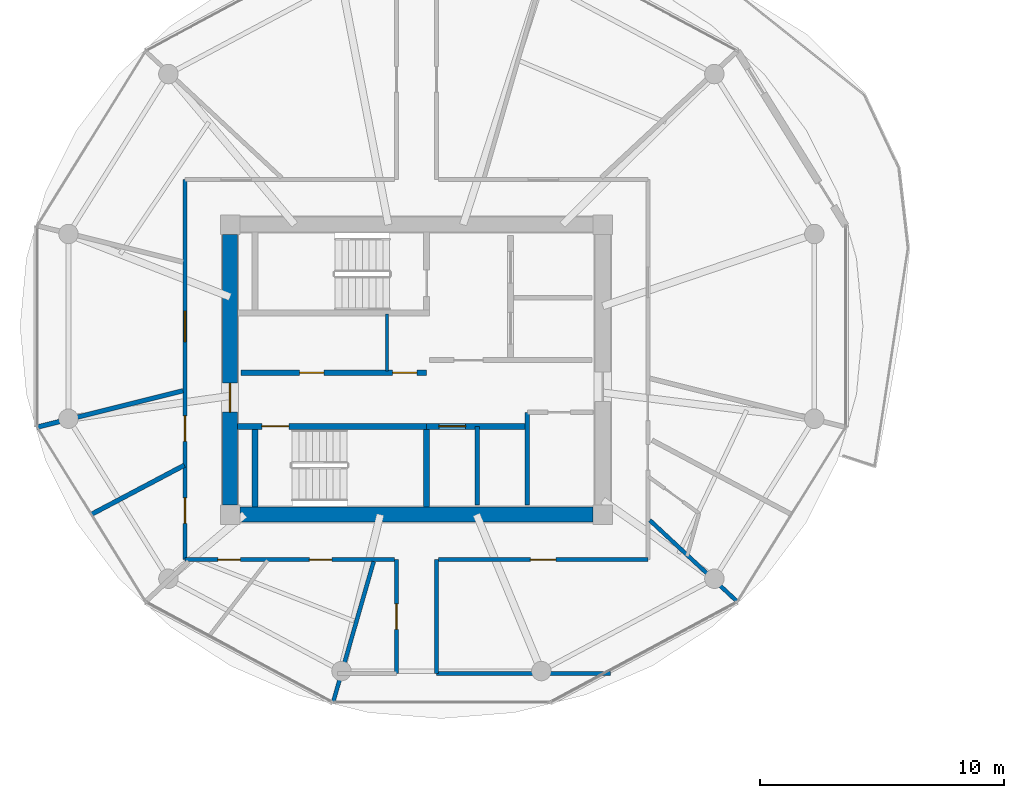
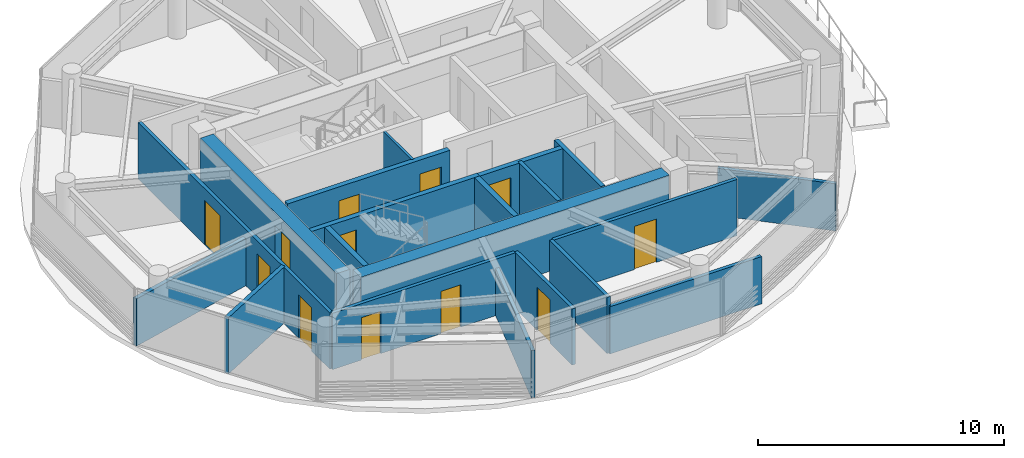
# One storey, part 13 of 21: 20 walls, 12 doors, 12 openings.
"""IFC4 building model written with IfcOpenShell, lengths in metres."""

from ifc_helpers import new_model, si_unit, direction, frame, frame_2d, origin, place, context, subcontext, project, spatial, rectangle, extrude, source, transform, mapped, material, layer, layer_set, type_object, type_shapes, element, fill, save


model = new_model("IFC4")

# Units and contexts
model_context = context("Model", 3, precision=1e-05, world=origin(), true_north=direction((0.0, 1.0)))
body_context = subcontext(model_context, "Body", "Model", "MODEL_VIEW")
ifc_project = project(units=[si_unit("LENGTHUNIT", "METRE"), si_unit("AREAUNIT", "SQUARE_METRE"), si_unit("VOLUMEUNIT", "CUBIC_METRE"), si_unit("PLANEANGLEUNIT", "RADIAN"), si_unit("MASSUNIT", "GRAM", prefix="KILO")], contexts=[model_context])

# Site, building, storey
site_placement = place(None, origin())
site = spatial("IfcSite", under=ifc_project, at=site_placement, CompositionType="ELEMENT")
building_placement = place(site_placement, origin())
building = spatial("IfcBuilding", under=site, at=building_placement, Name="Norrkilde Senior Care Towers", CompositionType="ELEMENT")
storey_placement = place(building_placement, frame((0.0, 0.0, 140.39990234375)))
storey = spatial("IfcBuildingStorey", under=building, at=storey_placement, Name="L43", CompositionType="ELEMENT", Elevation=140.39990234375)

# Wall
ifc_material_1 = material(Name="Concrete C50/60", Category="concrete")
ifc_layer_1 = layer(ifc_material_1, 0.6201171875)
ifc_layer_set_1 = layer_set([ifc_layer_1], Name="Concrete C50/60")
wall_type_1 = type_object("IfcWallType", Name="Core Shear Wall Z3 620", PredefinedType="SHEAR", material=ifc_layer_set_1)
shared_shape_1 = source(origin(), body_context, "Body", "SweptSolid", [
    extrude(rectangle(XDim=14.5, YDim=0.6201171875, at=frame_2d((7.25, 0.0))), origin(), (0.0, 0.0, 1.0), 2.81005859375),
])
wall_1_placement = place(storey_placement, frame((-20.75, -5.949951171875, 0.0), z_axis=(0.0, 0.0, 1.0), x_axis=(-1.0, 0.0, 0.0)))
element("IfcWall", 1, at=wall_1_placement, inside=storey, type_object=wall_type_1, Name="L43 Core W South Shear Wall", PredefinedType="SHEAR", context=body_context, shape_type="MappedRepresentation", body=[
    mapped(shared_shape_1, transform((0.0, 0.0, 0.0), x_axis=(1.0, 0.0, 0.0), y_axis=(0.0, 1.0, 0.0), z_axis=(0.0, 0.0, 1.0), scale=1.0)),
])

# Wall, opening, door
shared_shape_2 = source(origin(), body_context, "Body", "SweptSolid", [
    extrude(rectangle(XDim=11.10009765625, YDim=0.6201171875, at=frame_2d((5.550048828125, 0.0))), origin(), (0.0, 0.0, 1.0), 2.81005859375),
])
type_shapes(wall_type_1, [shared_shape_1, shared_shape_2])
wall_2_placement = place(storey_placement, frame((-35.64990234375, -5.550048828125, 0.0), z_axis=(0.0, 0.0, 1.0), x_axis=(0.0, 1.0, 0.0)))
wall_2 = element("IfcWall", 2, at=wall_2_placement, inside=storey, type_object=wall_type_1, Name="L43 Core W West Shear Wall", PredefinedType="SHEAR", context=body_context, shape_type="MappedRepresentation", body=[
    mapped(shared_shape_2, transform((0.0, 0.0, 0.0), x_axis=(1.0, 0.0, 0.0), y_axis=(0.0, 1.0, 0.0), z_axis=(0.0, 0.0, 1.0), scale=1.0)),
])
opening_1_placement = place(wall_2_placement, frame((3.800048828125, 0.0, 0.0)))
opening_1 = element("IfcOpeningElement", 3, at=opening_1_placement, cuts=wall_2, Name="Opening D-04", PredefinedType="OPENING", context=body_context, shape_type="SweptSolid", body=[
    extrude(rectangle(XDim=1.199951171875, YDim=2.14990234375, at=frame_2d((0.60009765625, 1.074951171875))), frame((0.0, 0.320068359375, 0.0), z_axis=(0.0, -1.0, 0.0), x_axis=(1.0, 0.0, 0.0)), (0.0, 0.0, 1.0), 0.64013671875),
])
ifc_material_2 = material(Name="Galvanised Painted Steel", Category="steel")
door_type_1 = type_object("IfcDoorType", Name="Firefighting Lobby Fire Door 1200x2150", OperationType="NOTDEFINED", PredefinedType="DOOR", material=ifc_material_2)
shared_shape_3 = source(origin(), body_context, "Body", "SweptSolid", [
    extrude(rectangle(XDim=1.199951171875, YDim=2.14990234375, at=frame_2d((0.60009765625, 1.074951171875))), frame((0.0, 0.02490234375, 0.0), z_axis=(0.0, -1.0, 0.0), x_axis=(1.0, 0.0, 0.0)), (0.0, 0.0, 1.0), 0.050048828125),
])
type_shapes(door_type_1, [shared_shape_3])
door_1_placement = place(opening_1_placement, frame((1.199951171875, 0.0, 0.0), z_axis=(0.0, 0.0, 1.0), x_axis=(-1.0, 0.0, 0.0)))
door_1 = element("IfcDoor", 4, at=door_1_placement, inside=storey, type_object=door_type_1, Name="L43 Core W West Portal Door", OperationType="SINGLE_SWING_LEFT", OverallHeight=2.14990234375, OverallWidth=1.199951171875, PredefinedType="DOOR", context=body_context, shape_type="MappedRepresentation", body=[
    mapped(shared_shape_3, transform((0.0, 0.0, 0.0), x_axis=(1.0, 0.0, 0.0), y_axis=(0.0, 1.0, 0.0), z_axis=(0.0, 0.0, 1.0), scale=1.0)),
])
fill(opening_1, door_1)

ifc_material_3 = material(Name="Concrete C45/55", Category="concrete")
ifc_layer_2 = layer(ifc_material_3, 0.239990234375)
ifc_layer_set_2 = layer_set([ifc_layer_2], Name="Concrete C45/55")
wall_type_2 = type_object("IfcWallType", Name="Shaft and Stair Enclosure Wall 240", PredefinedType="PARTITIONING", material=ifc_layer_set_2)
shared_shape_4 = source(origin(), body_context, "Body", "SweptSolid", [
    extrude(rectangle(XDim=7.880126953125, YDim=0.239990234375, at=frame_2d((3.93994140625, 0.0))), origin(), (0.0, 0.0, 1.0), 2.81005859375),
])
wall_3_placement = place(storey_placement, frame((-35.340087890625, -2.330078125, 0.0), z_axis=(0.0, 0.0, 1.0), x_axis=(1.0, 0.0, 0.0)))
wall_3 = element("IfcWall", 5, at=wall_3_placement, inside=storey, type_object=wall_type_2, Name="WL-INT-L43-W-ST2N", PredefinedType="PARTITIONING", context=body_context, shape_type="MappedRepresentation", body=[
    mapped(shared_shape_4, transform((0.0, 0.0, 0.0), x_axis=(1.0, 0.0, 0.0), y_axis=(0.0, 1.0, 0.0), z_axis=(0.0, 0.0, 1.0), scale=1.0)),
])
opening_2_placement = place(wall_3_placement, frame((1.0, 0.0, 0.0)))
opening_2 = element("IfcOpeningElement", 6, at=opening_2_placement, cuts=wall_3, Name="Opening D-03", PredefinedType="OPENING", context=body_context, shape_type="SweptSolid", body=[
    extrude(rectangle(XDim=1.10009765625, YDim=2.14990234375, at=frame_2d((0.550048828125, 1.074951171875))), frame((0.0, 0.1298828125, 0.0), z_axis=(0.0, -1.0, 0.0), x_axis=(1.0, 0.0, 0.0)), (0.0, 0.0, 1.0), 0.260009765625),
])
door_type_2 = type_object("IfcDoorType", Name="Stairwell Protected Fire Door 1100x2150", OperationType="NOTDEFINED", PredefinedType="DOOR", material=ifc_material_2)
shared_shape_5 = source(origin(), body_context, "Body", "SweptSolid", [
    extrude(rectangle(XDim=1.10009765625, YDim=2.14990234375, at=frame_2d((0.550048828125, 1.074951171875))), frame((0.0, 0.02490234375, 0.0), z_axis=(0.0, -1.0, 0.0), x_axis=(1.0, 0.0, 0.0)), (0.0, 0.0, 1.0), 0.050048828125),
])
type_shapes(door_type_2, [shared_shape_5])
door_2_placement = place(opening_2_placement, frame((1.10009765625, 0.0, 0.0), z_axis=(0.0, 0.0, 1.0), x_axis=(-1.0, 0.0, 0.0)))
door_2 = element("IfcDoor", 7, at=door_2_placement, inside=storey, type_object=door_type_2, Name="L43 Stair W2 Fire Door", OperationType="SINGLE_SWING_RIGHT", OverallHeight=2.14990234375, OverallWidth=1.10009765625, PredefinedType="DOOR", context=body_context, shape_type="MappedRepresentation", body=[
    mapped(shared_shape_5, transform((0.0, 0.0, 0.0), x_axis=(1.0, 0.0, 0.0), y_axis=(0.0, 1.0, 0.0), z_axis=(0.0, 0.0, 1.0), scale=1.0)),
])
fill(opening_2, door_2)

# Walls
shared_shape_6 = source(origin(), body_context, "Body", "SweptSolid", [
    extrude(rectangle(XDim=3.18994140625, YDim=0.239990234375, at=frame_2d((1.594970703125, 0.0))), origin(), (0.0, 0.0, 1.0), 2.81005859375),
])
type_shapes(wall_type_2, [shared_shape_4, shared_shape_6])
for number, where, z_axis, x_axis, name in (
    (8, (-34.6201171875, -5.639892578125, 0.0), (0.0, 0.0, 1.0), (0.0, 1.0, 0.0), "WL-INT-L43-W-ST2W"),
    (9, (-27.580078125, -5.639892578125, 0.0), (0.0, 0.0, 1.0), (0.0, 1.0, 0.0), "WL-INT-L43-W-ST2E"),
):
    element("IfcWall", number, at=place(storey_placement, frame(where, z_axis=z_axis, x_axis=x_axis)), inside=storey, type_object=wall_type_2, Name=name, PredefinedType="PARTITIONING", context=body_context, shape_type="MappedRepresentation", body=[
        mapped(shared_shape_6, transform((0.0, 0.0, 0.0), x_axis=(1.0, 0.0, 0.0), y_axis=(0.0, 1.0, 0.0), z_axis=(0.0, 0.0, 1.0), scale=1.0)),
    ])

# Wall, openings, doors
ifc_layer_3 = layer(ifc_material_3, 0.239990234375)
ifc_layer_set_3 = layer_set([ifc_layer_3], Name="Concrete C45/55")
wall_type_3 = type_object("IfcWallType", Name="Lift and Plant Rated Enclosure Partition 240", PredefinedType="PARTITIONING", material=ifc_layer_set_3)
shared_shape_7 = source(origin(), body_context, "Body", "SweptSolid", [
    extrude(rectangle(XDim=7.619873046875, YDim=0.239990234375, at=frame_2d((3.81005859375, 0.0))), origin(), (0.0, 0.0, 1.0), 2.795166015625),
])
wall_4_placement = place(storey_placement, frame((-35.199951171875, -0.1298828125, 0.0), z_axis=(0.0, 0.0, 1.0), x_axis=(1.0, 0.0, 0.0)))
wall_4 = element("IfcWall", 10, at=wall_4_placement, inside=storey, type_object=wall_type_3, Name="WL-INT-L43-W-PKAS", PredefinedType="PARTITIONING", context=body_context, shape_type="MappedRepresentation", body=[
    mapped(shared_shape_7, transform((0.0, 0.0, 0.0), x_axis=(1.0, 0.0, 0.0), y_axis=(0.0, 1.0, 0.0), z_axis=(0.0, 0.0, 1.0), scale=1.0)),
])
opening_3_placement = place(wall_4_placement, frame((6.219970703125, 0.0, 0.0)))
opening_3 = element("IfcOpeningElement", 11, at=opening_3_placement, cuts=wall_4, Name="Opening D-10", PredefinedType="OPENING", context=body_context, shape_type="SweptSolid", body=[
    extrude(rectangle(XDim=1.0, YDim=2.10009765625, at=frame_2d((0.5, 1.050048828125))), frame((0.0, 0.1298828125, 0.0), z_axis=(0.0, -1.0, 0.0), x_axis=(1.0, 0.0, 0.0)), (0.0, 0.0, 1.0), 0.260009765625),
])
opening_4_placement = place(wall_4_placement, frame((2.39990234375, 0.0, 0.0)))
opening_4 = element("IfcOpeningElement", 12, at=opening_4_placement, cuts=wall_4, Name="Opening D-10", PredefinedType="OPENING", context=body_context, shape_type="SweptSolid", body=[
    extrude(rectangle(XDim=1.0, YDim=2.10009765625, at=frame_2d((0.5, 1.050048828125))), frame((0.0, 0.1298828125, 0.0), z_axis=(0.0, -1.0, 0.0), x_axis=(1.0, 0.0, 0.0)), (0.0, 0.0, 1.0), 0.260009765625),
])
door_type_3 = type_object("IfcDoorType", Name="Plant and Riser Rated Door 1000x2100", OperationType="NOTDEFINED", PredefinedType="DOOR", material=ifc_material_2)
shared_shape_8 = source(origin(), body_context, "Body", "SweptSolid", [
    extrude(rectangle(XDim=1.0, YDim=2.10009765625, at=frame_2d((0.5, 1.050048828125))), frame((0.0, 0.02490234375, 0.0), z_axis=(0.0, -1.0, 0.0), x_axis=(1.0, 0.0, 0.0)), (0.0, 0.0, 1.0), 0.050048828125),
])
type_shapes(door_type_3, [shared_shape_8])
door_3_placement = place(opening_3_placement, frame((1.0, 0.0, 0.0), z_axis=(0.0, 0.0, 1.0), x_axis=(-1.0, 0.0, 0.0)))
door_3 = element("IfcDoor", 13, at=door_3_placement, inside=storey, type_object=door_type_3, Name="L43 Electrical Riser W Door", OperationType="SINGLE_SWING_LEFT", OverallHeight=2.10009765625, OverallWidth=1.0, PredefinedType="DOOR", context=body_context, shape_type="MappedRepresentation", body=[
    mapped(shared_shape_8, transform((0.0, 0.0, 0.0), x_axis=(1.0, 0.0, 0.0), y_axis=(0.0, 1.0, 0.0), z_axis=(0.0, 0.0, 1.0), scale=1.0)),
])
fill(opening_3, door_3)
door_4_placement = place(opening_4_placement, frame((1.0, 0.0, 0.0), z_axis=(0.0, 0.0, 1.0), x_axis=(-1.0, 0.0, 0.0)))
door_4 = element("IfcDoor", 14, at=door_4_placement, inside=storey, type_object=door_type_3, Name="L43 Clean Supply Store W Door", OperationType="SINGLE_SWING_LEFT", OverallHeight=2.10009765625, OverallWidth=1.0, PredefinedType="DOOR", context=body_context, shape_type="MappedRepresentation", body=[
    mapped(shared_shape_8, transform((0.0, 0.0, 0.0), x_axis=(1.0, 0.0, 0.0), y_axis=(0.0, 1.0, 0.0), z_axis=(0.0, 0.0, 1.0), scale=1.0)),
])
fill(opening_4, door_4)

# Walls
ifc_material_4 = material(Name="Gypsum Acoustic Board")
ifc_layer_4 = layer(ifc_material_4, 0.114990234375)
ifc_layer_set_4 = layer_set([ifc_layer_4], Name="Gypsum Acoustic Board")
wall_type_4 = type_object("IfcWallType", Name="Internal Room Partition 115", PredefinedType="PARTITIONING", material=ifc_layer_set_4)
shared_shape_9 = source(origin(), body_context, "Body", "SweptSolid", [
    extrude(rectangle(XDim=2.330078125, YDim=0.114990234375, at=frame_2d((1.1650390625, 0.0))), origin(), (0.0, 0.0, 1.0), 2.795166015625),
])
type_shapes(wall_type_4, [shared_shape_9])
wall_5_placement = place(storey_placement, frame((-29.2099609375, -0.050048828125, 0.0), z_axis=(0.0, 0.0, 1.0), x_axis=(0.0, 1.0, 0.0)))
element("IfcWall", 15, at=wall_5_placement, inside=storey, type_object=wall_type_4, Name="WL-INT-L43-W-RISW", PredefinedType="PARTITIONING", context=body_context, shape_type="MappedRepresentation", body=[
    mapped(shared_shape_9, transform((0.0, 0.0, 0.0), x_axis=(1.0, 0.0, 0.0), y_axis=(0.0, 1.0, 0.0), z_axis=(0.0, 0.0, 1.0), scale=1.0)),
])
ifc_layer_5 = layer(ifc_material_3, 0.199951171875)
ifc_layer_set_5 = layer_set([ifc_layer_5], Name="Concrete C45/55")
wall_type_5 = type_object("IfcWallType", Name="Shaft Division and Plant Partition 200", PredefinedType="PARTITIONING", material=ifc_layer_set_5)
shared_shape_10 = source(origin(), body_context, "Body", "SweptSolid", [
    extrude(rectangle(XDim=3.800048828125, YDim=0.199951171875, at=frame_2d((1.89990234375, 0.0))), origin(), (0.0, 0.0, 1.0), 2.795166015625),
])
type_shapes(wall_type_5, [shared_shape_10])
wall_6_placement = place(storey_placement, frame((-23.449951171875, -5.550048828125, 0.0), z_axis=(0.0, 0.0, 1.0), x_axis=(0.0, 1.0, 0.0)))
element("IfcWall", 16, at=wall_6_placement, inside=storey, type_object=wall_type_5, Name="WL-INT-L43-W-PKBE", PredefinedType="PARTITIONING", context=body_context, shape_type="MappedRepresentation", body=[
    mapped(shared_shape_10, transform((0.0, 0.0, 0.0), x_axis=(1.0, 0.0, 0.0), y_axis=(0.0, 1.0, 0.0), z_axis=(0.0, 0.0, 1.0), scale=1.0)),
])

# Wall, opening, door
shared_shape_11 = source(origin(), body_context, "Body", "SweptSolid", [
    extrude(rectangle(XDim=4.130126953125, YDim=0.239990234375, at=frame_2d((2.06494140625, 0.0))), origin(), (0.0, 0.0, 1.0), 2.795166015625),
])
type_shapes(wall_type_3, [shared_shape_7, shared_shape_11])
wall_7_placement = place(storey_placement, frame((-27.580078125, -2.330078125, 0.0), z_axis=(0.0, 0.0, 1.0), x_axis=(1.0, 0.0, 0.0)))
wall_7 = element("IfcWall", 17, at=wall_7_placement, inside=storey, type_object=wall_type_3, Name="WL-INT-L43-W-PKBN", PredefinedType="PARTITIONING", context=body_context, shape_type="MappedRepresentation", body=[
    mapped(shared_shape_11, transform((0.0, 0.0, 0.0), x_axis=(1.0, 0.0, 0.0), y_axis=(0.0, 1.0, 0.0), z_axis=(0.0, 0.0, 1.0), scale=1.0)),
])
opening_5_placement = place(wall_7_placement, frame((0.5, 0.0, 0.0)))
opening_5 = element("IfcOpeningElement", 18, at=opening_5_placement, cuts=wall_7, Name="Opening LD-01", PredefinedType="OPENING", context=body_context, shape_type="SweptSolid", body=[
    extrude(rectangle(XDim=1.10009765625, YDim=2.199951171875, at=frame_2d((0.550048828125, 1.10009765625))), frame((0.0, 0.1298828125, 0.0), z_axis=(0.0, -1.0, 0.0), x_axis=(1.0, 0.0, 0.0)), (0.0, 0.0, 1.0), 0.260009765625),
])
ifc_material_5 = material(Name="Stainless Steel", Category="steel")
door_type_4 = type_object("IfcDoorType", Name="Lift Landing Sliding Door 1100x2200", OperationType="NOTDEFINED", PredefinedType="DOOR", material=ifc_material_5)
shared_shape_12 = source(origin(), body_context, "Body", "SweptSolid", [
    extrude(rectangle(XDim=1.10009765625, YDim=2.199951171875, at=frame_2d((0.550048828125, 1.10009765625))), frame((0.0, 0.02490234375, 0.0), z_axis=(0.0, -1.0, 0.0), x_axis=(1.0, 0.0, 0.0)), (0.0, 0.0, 1.0), 0.050048828125),
])
type_shapes(door_type_4, [shared_shape_12])
door_5_placement = place(opening_5_placement, frame((1.10009765625, 0.0, 0.0), z_axis=(0.0, 0.0, 1.0), x_axis=(-1.0, 0.0, 0.0)))
door_5 = element("IfcDoor", 19, at=door_5_placement, inside=storey, type_object=door_type_4, Name="L43 Passenger Lift W3 Landing Door", OperationType="SLIDING_TO_LEFT", OverallHeight=2.199951171875, OverallWidth=1.10009765625, PredefinedType="DOOR", context=body_context, shape_type="MappedRepresentation", body=[
    mapped(shared_shape_12, transform((0.0, 0.0, 0.0), x_axis=(1.0, 0.0, 0.0), y_axis=(0.0, 1.0, 0.0), z_axis=(0.0, 0.0, 1.0), scale=1.0)),
])
fill(opening_5, door_5)

# Wall
ifc_layer_6 = layer(ifc_material_3, 0.179931640625)
ifc_layer_set_6 = layer_set([ifc_layer_6], Name="Concrete C45/55")
wall_type_6 = type_object("IfcWallType", Name="Hoistway Division Rated Partition 180", PredefinedType="PARTITIONING", material=ifc_layer_set_6)
shared_shape_13 = source(origin(), body_context, "Body", "SweptSolid", [
    extrude(rectangle(XDim=3.219970703125, YDim=0.179931640625, at=frame_2d((1.60986328125, 0.0))), origin(), (0.0, 0.0, 1.0), 2.795166015625),
])
type_shapes(wall_type_6, [shared_shape_13])
wall_8_placement = place(storey_placement, frame((-25.5, -5.550048828125, 0.0), z_axis=(0.0, 0.0, 1.0), x_axis=(0.0, 1.0, 0.0)))
element("IfcWall", 20, at=wall_8_placement, inside=storey, type_object=wall_type_6, Name="WL-INT-L43-W-PL34", PredefinedType="PARTITIONING", context=body_context, shape_type="MappedRepresentation", body=[
    mapped(shared_shape_13, transform((0.0, 0.0, 0.0), x_axis=(1.0, 0.0, 0.0), y_axis=(0.0, 1.0, 0.0), z_axis=(0.0, 0.0, 1.0), scale=1.0)),
])

# Wall, opening, door
ifc_layer_7 = layer(ifc_material_4, 0.1650390625)
ifc_layer_set_7 = layer_set([ifc_layer_7], Name="Gypsum Acoustic Board")
wall_type_7 = type_object("IfcWallType", Name="Corridor Rated Partition 165", PredefinedType="PARTITIONING", material=ifc_layer_set_7)
shared_shape_14 = source(origin(), body_context, "Body", "SweptSolid", [
    extrude(rectangle(XDim=8.60009765625, YDim=0.1650390625, at=frame_2d((4.300048828125, 0.0))), origin(), (0.0, 0.0, 1.0), 2.795166015625),
])
wall_9_placement = place(storey_placement, frame((-18.5, -7.800048828125, 0.0), z_axis=(0.0, 0.0, 1.0), x_axis=(-1.0, 0.0, 0.0)))
wall_9 = element("IfcWall", 21, at=wall_9_placement, inside=storey, type_object=wall_type_7, Name="WL-INT-L43-W-CRW-S-0", PredefinedType="PARTITIONING", context=body_context, shape_type="MappedRepresentation", body=[
    mapped(shared_shape_14, transform((0.0, 0.0, 0.0), x_axis=(1.0, 0.0, 0.0), y_axis=(0.0, 1.0, 0.0), z_axis=(0.0, 0.0, 1.0), scale=1.0)),
])
opening_6_placement = place(wall_9_placement, frame((3.77490234375, 0.0, 0.0)))
opening_6 = element("IfcOpeningElement", 22, at=opening_6_placement, cuts=wall_9, Name="Opening D-06", PredefinedType="OPENING", context=body_context, shape_type="SweptSolid", body=[
    extrude(rectangle(XDim=1.050048828125, YDim=2.14990234375, at=frame_2d((0.52490234375, 1.074951171875))), frame((0.0, 0.092529296875, 0.0), z_axis=(0.0, -1.0, 0.0), x_axis=(1.0, 0.0, 0.0)), (0.0, 0.0, 1.0), 0.18505859375),
])
ifc_material_6 = material(Name="Nordic Ash Timber", Category="wood")
door_type_5 = type_object("IfcDoorType", Name="Apartment Entrance Fire Door 1050x2150", OperationType="NOTDEFINED", PredefinedType="DOOR", material=ifc_material_6)
shared_shape_15 = source(origin(), body_context, "Body", "SweptSolid", [
    extrude(rectangle(XDim=1.050048828125, YDim=2.14990234375, at=frame_2d((0.52490234375, 1.074951171875))), frame((0.0, 0.02490234375, 0.0), z_axis=(0.0, -1.0, 0.0), x_axis=(1.0, 0.0, 0.0)), (0.0, 0.0, 1.0), 0.050048828125),
])
type_shapes(door_type_5, [shared_shape_15])
door_6_placement = place(opening_6_placement, frame((1.050048828125, 0.0, 0.0), z_axis=(0.0, 0.0, 1.0), x_axis=(-1.0, 0.0, 0.0)))
door_6 = element("IfcDoor", 23, at=door_6_placement, inside=storey, type_object=door_type_5, Name="L43 Reading Lounge SEL Door", OperationType="SINGLE_SWING_RIGHT", OverallHeight=2.14990234375, OverallWidth=1.050048828125, PredefinedType="DOOR", context=body_context, shape_type="MappedRepresentation", body=[
    mapped(shared_shape_15, transform((0.0, 0.0, 0.0), x_axis=(1.0, 0.0, 0.0), y_axis=(0.0, 1.0, 0.0), z_axis=(0.0, 0.0, 1.0), scale=1.0)),
])
fill(opening_6, door_6)

# Wall, openings, doors
wall_10_placement = place(storey_placement, frame((-28.89990234375, -7.800048828125, 0.0), z_axis=(0.0, 0.0, 1.0), x_axis=(-1.0, 0.0, 0.0)))
wall_10 = element("IfcWall", 24, at=wall_10_placement, inside=storey, type_object=wall_type_7, Name="WL-INT-L43-W-CRW-S-1", PredefinedType="PARTITIONING", context=body_context, shape_type="MappedRepresentation", body=[
    mapped(shared_shape_14, transform((0.0, 0.0, 0.0), x_axis=(1.0, 0.0, 0.0), y_axis=(0.0, 1.0, 0.0), z_axis=(0.0, 0.0, 1.0), scale=1.0)),
])
opening_7_placement = place(wall_10_placement, frame((6.330322265625, 0.0, 0.0)))
opening_7 = element("IfcOpeningElement", 25, at=opening_7_placement, cuts=wall_10, Name="Opening D-08", PredefinedType="OPENING", context=body_context, shape_type="SweptSolid", body=[
    extrude(rectangle(XDim=0.919921875, YDim=2.10009765625, at=frame_2d((0.4599609375, 1.050048828125))), frame((0.0, 0.092529296875, 0.0), z_axis=(0.0, -1.0, 0.0), x_axis=(1.0, 0.0, 0.0)), (0.0, 0.0, 1.0), 0.18505859375),
])
opening_8_placement = place(wall_10_placement, frame((2.57470703125, 0.0, 0.0)))
opening_8 = element("IfcOpeningElement", 26, at=opening_8_placement, cuts=wall_10, Name="Opening D-08", PredefinedType="OPENING", context=body_context, shape_type="SweptSolid", body=[
    extrude(rectangle(XDim=0.919921875, YDim=2.10009765625, at=frame_2d((0.4599609375, 1.050048828125))), frame((0.0, 0.092529296875, 0.0), z_axis=(0.0, -1.0, 0.0), x_axis=(1.0, 0.0, 0.0)), (0.0, 0.0, 1.0), 0.18505859375),
])
door_type_6 = type_object("IfcDoorType", Name="Accessible Wet Room Door 920x2100", OperationType="NOTDEFINED", PredefinedType="DOOR", material=ifc_material_6)
shared_shape_16 = source(origin(), body_context, "Body", "SweptSolid", [
    extrude(rectangle(XDim=0.919921875, YDim=2.10009765625, at=frame_2d((0.4599609375, 1.050048828125))), frame((0.0, 0.02490234375, 0.0), z_axis=(0.0, -1.0, 0.0), x_axis=(1.0, 0.0, 0.0)), (0.0, 0.0, 1.0), 0.050048828125),
])
type_shapes(door_type_6, [shared_shape_16])
door_7_placement = place(opening_7_placement, frame((0.919921875, 0.0, 0.0), z_axis=(0.0, 0.0, 1.0), x_axis=(-1.0, 0.0, 0.0)))
door_7 = element("IfcDoor", 27, at=door_7_placement, inside=storey, type_object=door_type_6, Name="L43 Accessible Restroom Door", OperationType="SINGLE_SWING_RIGHT", OverallHeight=2.10009765625, OverallWidth=0.919921875, PredefinedType="DOOR", context=body_context, shape_type="MappedRepresentation", body=[
    mapped(shared_shape_16, transform((0.0, 0.0, 0.0), x_axis=(1.0, 0.0, 0.0), y_axis=(0.0, 1.0, 0.0), z_axis=(0.0, 0.0, 1.0), scale=1.0)),
])
fill(opening_7, door_7)
door_8_placement = place(opening_8_placement, frame((0.919921875, 0.0, 0.0), z_axis=(0.0, 0.0, 1.0), x_axis=(-1.0, 0.0, 0.0)))
door_8 = element("IfcDoor", 28, at=door_8_placement, inside=storey, type_object=door_type_6, Name="L43 Public Restroom Door", OperationType="SINGLE_SWING_LEFT", OverallHeight=2.10009765625, OverallWidth=0.919921875, PredefinedType="DOOR", context=body_context, shape_type="MappedRepresentation", body=[
    mapped(shared_shape_16, transform((0.0, 0.0, 0.0), x_axis=(1.0, 0.0, 0.0), y_axis=(0.0, 1.0, 0.0), z_axis=(0.0, 0.0, 1.0), scale=1.0)),
])
fill(opening_8, door_8)

shared_shape_17 = source(origin(), body_context, "Body", "SweptSolid", [
    extrude(rectangle(XDim=15.60009765625, YDim=0.1650390625, at=frame_2d((7.800048828125, 0.0))), origin(), (0.0, 0.0, 1.0), 2.795166015625),
])
wall_11_placement = place(storey_placement, frame((-37.5, -7.800048828125, 0.0), z_axis=(0.0, 0.0, 1.0), x_axis=(0.0, 1.0, 0.0)))
wall_11 = element("IfcWall", 29, at=wall_11_placement, inside=storey, type_object=wall_type_7, Name="WL-INT-L43-W-CRW-W-0", PredefinedType="PARTITIONING", context=body_context, shape_type="MappedRepresentation", body=[
    mapped(shared_shape_17, transform((0.0, 0.0, 0.0), x_axis=(1.0, 0.0, 0.0), y_axis=(0.0, 1.0, 0.0), z_axis=(0.0, 0.0, 1.0), scale=1.0)),
])
opening_9_placement = place(wall_11_placement, frame((8.950439453125, 0.0, 0.0)))
opening_9 = element("IfcOpeningElement", 30, at=opening_9_placement, cuts=wall_11, Name="Opening D-05", PredefinedType="OPENING", context=body_context, shape_type="SweptSolid", body=[
    extrude(rectangle(XDim=1.25, YDim=2.199951171875, at=frame_2d((0.625, 1.10009765625))), frame((0.0, 0.092529296875, 0.0), z_axis=(0.0, -1.0, 0.0), x_axis=(1.0, 0.0, 0.0)), (0.0, 0.0, 1.0), 0.18505859375),
])
opening_10_placement = place(wall_11_placement, frame((4.851318359375, 0.0, 0.0)))
opening_10 = element("IfcOpeningElement", 31, at=opening_10_placement, cuts=wall_11, Name="Opening D-06", PredefinedType="OPENING", context=body_context, shape_type="SweptSolid", body=[
    extrude(rectangle(XDim=1.050048828125, YDim=2.14990234375, at=frame_2d((0.52490234375, 1.074951171875))), frame((0.0, 0.092529296875, 0.0), z_axis=(0.0, -1.0, 0.0), x_axis=(1.0, 0.0, 0.0)), (0.0, 0.0, 1.0), 0.18505859375),
])
opening_11_placement = place(wall_11_placement, frame((1.487548828125, 0.0, 0.0)))
opening_11 = element("IfcOpeningElement", 32, at=opening_11_placement, cuts=wall_11, Name="Opening D-06", PredefinedType="OPENING", context=body_context, shape_type="SweptSolid", body=[
    extrude(rectangle(XDim=1.050048828125, YDim=2.14990234375, at=frame_2d((0.52490234375, 1.074951171875))), frame((0.0, 0.092529296875, 0.0), z_axis=(0.0, -1.0, 0.0), x_axis=(1.0, 0.0, 0.0)), (0.0, 0.0, 1.0), 0.18505859375),
])
door_type_7 = type_object("IfcDoorType", Name="Care Bedroom Bariatric Door 1250x2200", OperationType="NOTDEFINED", PredefinedType="DOOR", material=ifc_material_6)
shared_shape_18 = source(origin(), body_context, "Body", "SweptSolid", [
    extrude(rectangle(XDim=1.25, YDim=2.199951171875, at=frame_2d((0.625, 1.10009765625))), frame((0.0, 0.02490234375, 0.0), z_axis=(0.0, -1.0, 0.0), x_axis=(1.0, 0.0, 0.0)), (0.0, 0.0, 1.0), 0.050048828125),
])
type_shapes(door_type_7, [shared_shape_18])
door_9_placement = place(opening_9_placement, frame((1.25, 0.0, 0.0), z_axis=(0.0, 0.0, 1.0), x_axis=(-1.0, 0.0, 0.0)))
door_9 = element("IfcDoor", 33, at=door_9_placement, inside=storey, type_object=door_type_7, Name="L43 Senior Wellness Library Lounge Door", OperationType="SINGLE_SWING_RIGHT", OverallHeight=2.199951171875, OverallWidth=1.25, PredefinedType="DOOR", context=body_context, shape_type="MappedRepresentation", body=[
    mapped(shared_shape_18, transform((0.0, 0.0, 0.0), x_axis=(1.0, 0.0, 0.0), y_axis=(0.0, 1.0, 0.0), z_axis=(0.0, 0.0, 1.0), scale=1.0)),
])
fill(opening_9, door_9)
door_10_placement = place(opening_10_placement, frame((1.050048828125, 0.0, 0.0), z_axis=(0.0, 0.0, 1.0), x_axis=(-1.0, 0.0, 0.0)))
door_10 = element("IfcDoor", 34, at=door_10_placement, inside=storey, type_object=door_type_5, Name="L43 Physiotherapy Clinic 6A Door", OperationType="SINGLE_SWING_LEFT", OverallHeight=2.14990234375, OverallWidth=1.050048828125, PredefinedType="DOOR", context=body_context, shape_type="MappedRepresentation", body=[
    mapped(shared_shape_15, transform((0.0, 0.0, 0.0), x_axis=(1.0, 0.0, 0.0), y_axis=(0.0, 1.0, 0.0), z_axis=(0.0, 0.0, 1.0), scale=1.0)),
])
fill(opening_10, door_10)
door_11_placement = place(opening_11_placement, frame((1.050048828125, 0.0, 0.0), z_axis=(0.0, 0.0, 1.0), x_axis=(-1.0, 0.0, 0.0)))
door_11 = element("IfcDoor", 35, at=door_11_placement, inside=storey, type_object=door_type_5, Name="L43 Assessment Clinic 6B Door", OperationType="SINGLE_SWING_RIGHT", OverallHeight=2.14990234375, OverallWidth=1.050048828125, PredefinedType="DOOR", context=body_context, shape_type="MappedRepresentation", body=[
    mapped(shared_shape_15, transform((0.0, 0.0, 0.0), x_axis=(1.0, 0.0, 0.0), y_axis=(0.0, 1.0, 0.0), z_axis=(0.0, 0.0, 1.0), scale=1.0)),
])
fill(opening_11, door_11)

# Walls
shared_shape_19 = source(origin(), body_context, "Body", "SweptSolid", [
    extrude(rectangle(XDim=6.035400390625, YDim=0.1650390625, at=frame_2d((3.017578125, 0.0))), origin(), (0.0, 0.0, 1.0), 2.34521484375),
])
wall_12_placement = place(storey_placement, frame((-29.756103515625, -7.8798828125, 0.0), z_axis=(0.0, 0.0, 1.0), x_axis=(-0.276809454862, -0.960924828329, 0.0)))
element("IfcWall", 36, at=wall_12_placement, inside=storey, type_object=wall_type_7, Name="WL-INT-L43-W-DEM-08-0", PredefinedType="PARTITIONING", context=body_context, shape_type="MappedRepresentation", body=[
    mapped(shared_shape_19, transform((0.0, 0.0, 0.0), x_axis=(1.0, 0.0, 0.0), y_axis=(0.0, 1.0, 0.0), z_axis=(0.0, 0.0, 1.0), scale=1.0)),
])
shared_shape_20 = source(origin(), body_context, "Body", "SweptSolid", [
    extrude(rectangle(XDim=4.926513671875, YDim=0.1650390625, at=frame_2d((2.46337890625, 0.0))), origin(), (0.0, 0.0, 1.0), 2.34521484375),
])
wall_13_placement = place(storey_placement, frame((-18.419921875, -6.182861328125, 0.0), z_axis=(0.0, 0.0, 1.0), x_axis=(0.732191335987, -0.681098999783, 0.0)))
element("IfcWall", 37, at=wall_13_placement, inside=storey, type_object=wall_type_7, Name="WL-INT-L43-W-DEM-10-0", PredefinedType="PARTITIONING", context=body_context, shape_type="MappedRepresentation", body=[
    mapped(shared_shape_20, transform((0.0, 0.0, 0.0), x_axis=(1.0, 0.0, 0.0), y_axis=(0.0, 1.0, 0.0), z_axis=(0.0, 0.0, 1.0), scale=1.0)),
])

# Wall, opening, door
shared_shape_21 = source(origin(), body_context, "Body", "SweptSolid", [
    extrude(rectangle(XDim=4.6845703125, YDim=0.1650390625, at=frame_2d((2.34228515625, 0.0))), origin(), (0.0, 0.0, 1.0), 2.795166015625),
])
wall_14_placement = place(storey_placement, frame((-28.820068359375, -12.484619140625, 0.0), z_axis=(0.0, 0.0, 1.0), x_axis=(0.0, 1.0, 0.0)))
wall_14 = element("IfcWall", 38, at=wall_14_placement, inside=storey, type_object=wall_type_7, Name="WL-INT-L43-W-PKW-SWL", PredefinedType="PARTITIONING", context=body_context, shape_type="MappedRepresentation", body=[
    mapped(shared_shape_21, transform((0.0, 0.0, 0.0), x_axis=(1.0, 0.0, 0.0), y_axis=(0.0, 1.0, 0.0), z_axis=(0.0, 0.0, 1.0), scale=1.0)),
])
opening_12_placement = place(wall_14_placement, frame((1.8173828125, 0.0, 0.0)))
opening_12 = element("IfcOpeningElement", 39, at=opening_12_placement, cuts=wall_14, Name="Opening D-06", PredefinedType="OPENING", context=body_context, shape_type="SweptSolid", body=[
    extrude(rectangle(XDim=1.050048828125, YDim=2.14990234375, at=frame_2d((0.52490234375, 1.074951171875))), frame((0.0, 0.092529296875, 0.0), z_axis=(0.0, -1.0, 0.0), x_axis=(1.0, 0.0, 0.0)), (0.0, 0.0, 1.0), 0.18505859375),
])
door_12_placement = place(opening_12_placement, frame((1.050048828125, 0.0, 0.0), z_axis=(0.0, 0.0, 1.0), x_axis=(-1.0, 0.0, 0.0)))
door_12 = element("IfcDoor", 40, at=door_12_placement, inside=storey, type_object=door_type_5, Name="L43 Reading Lounge SWL Door", OperationType="SINGLE_SWING_RIGHT", OverallHeight=2.14990234375, OverallWidth=1.050048828125, PredefinedType="DOOR", context=body_context, shape_type="MappedRepresentation", body=[
    mapped(shared_shape_15, transform((0.0, 0.0, 0.0), x_axis=(1.0, 0.0, 0.0), y_axis=(0.0, 1.0, 0.0), z_axis=(0.0, 0.0, 1.0), scale=1.0)),
])
fill(opening_12, door_12)

# Walls
wall_15_placement = place(storey_placement, frame((-27.179931640625, -12.484619140625, 0.0), z_axis=(0.0, 0.0, 1.0), x_axis=(0.0, 1.0, 0.0)))
element("IfcWall", 41, at=wall_15_placement, inside=storey, type_object=wall_type_7, Name="WL-INT-L43-W-PKW-SEL", PredefinedType="PARTITIONING", context=body_context, shape_type="MappedRepresentation", body=[
    mapped(shared_shape_21, transform((0.0, 0.0, 0.0), x_axis=(1.0, 0.0, 0.0), y_axis=(0.0, 1.0, 0.0), z_axis=(0.0, 0.0, 1.0), scale=1.0)),
])
shared_shape_22 = source(origin(), body_context, "Body", "SweptSolid", [
    extrude(rectangle(XDim=7.138916015625, YDim=0.1650390625, at=frame_2d((3.5693359375, 0.0))), origin(), (0.0, 0.0, 1.0), 2.34521484375),
])
type_shapes(wall_type_7, [shared_shape_14, shared_shape_17, shared_shape_19, shared_shape_20, shared_shape_21, shared_shape_22])
wall_16_placement = place(storey_placement, frame((-27.179931640625, -12.484619140625, 0.0), z_axis=(0.0, 0.0, 1.0), x_axis=(1.0, 0.0, 0.0)))
element("IfcWall", 42, at=wall_16_placement, inside=storey, type_object=wall_type_7, Name="WL-INT-L43-W-PKH-SEL-0", PredefinedType="PARTITIONING", context=body_context, shape_type="MappedRepresentation", body=[
    mapped(shared_shape_22, transform((0.0, 0.0, 0.0), x_axis=(1.0, 0.0, 0.0), y_axis=(0.0, 1.0, 0.0), z_axis=(0.0, 0.0, 1.0), scale=1.0)),
])
ifc_layer_8 = layer(ifc_material_4, 0.18994140625)
ifc_layer_set_8 = layer_set([ifc_layer_8], Name="Gypsum Acoustic Board")
wall_type_8 = type_object("IfcWallType", Name="Unit Demising Acoustic Wall 190", PredefinedType="PARTITIONING", material=ifc_layer_set_8)
shared_shape_23 = source(origin(), body_context, "Body", "SweptSolid", [
    extrude(rectangle(XDim=6.192626953125, YDim=0.18994140625, at=frame_2d((3.09619140625, 0.0))), origin(), (0.0, 0.0, 1.0), 2.34521484375),
])
wall_17_placement = place(storey_placement, frame((-37.580078125, -0.867919921875, 0.0), z_axis=(0.0, 0.0, 1.0), x_axis=(-0.970309243466, -0.241867674657, 0.0)))
element("IfcWall", 43, at=wall_17_placement, inside=storey, type_object=wall_type_8, Name="WL-INT-L43-W-DEM-06-0", PredefinedType="PARTITIONING", context=body_context, shape_type="MappedRepresentation", body=[
    mapped(shared_shape_23, transform((0.0, 0.0, 0.0), x_axis=(1.0, 0.0, 0.0), y_axis=(0.0, 1.0, 0.0), z_axis=(0.0, 0.0, 1.0), scale=1.0)),
])
shared_shape_24 = source(origin(), body_context, "Body", "SweptSolid", [
    extrude(rectangle(XDim=4.33544921875, YDim=0.18994140625, at=frame_2d((2.167724609375, 0.0))), origin(), (0.0, 0.0, 1.0), 2.795166015625),
])
type_shapes(wall_type_8, [shared_shape_23, shared_shape_24])
wall_18_placement = place(storey_placement, frame((-37.530029296875, -3.92626953125, 0.0), z_axis=(0.0, 0.0, 1.0), x_axis=(-0.884108234352, -0.4672821738, 0.0)))
element("IfcWall", 44, at=wall_18_placement, inside=storey, type_object=wall_type_8, Name="WL-INT-L43-W-MID-06", PredefinedType="PARTITIONING", context=body_context, shape_type="MappedRepresentation", body=[
    mapped(shared_shape_24, transform((0.0, 0.0, 0.0), x_axis=(1.0, 0.0, 0.0), y_axis=(0.0, 1.0, 0.0), z_axis=(0.0, 0.0, 1.0), scale=1.0)),
])

save(model, "model.ifc")
